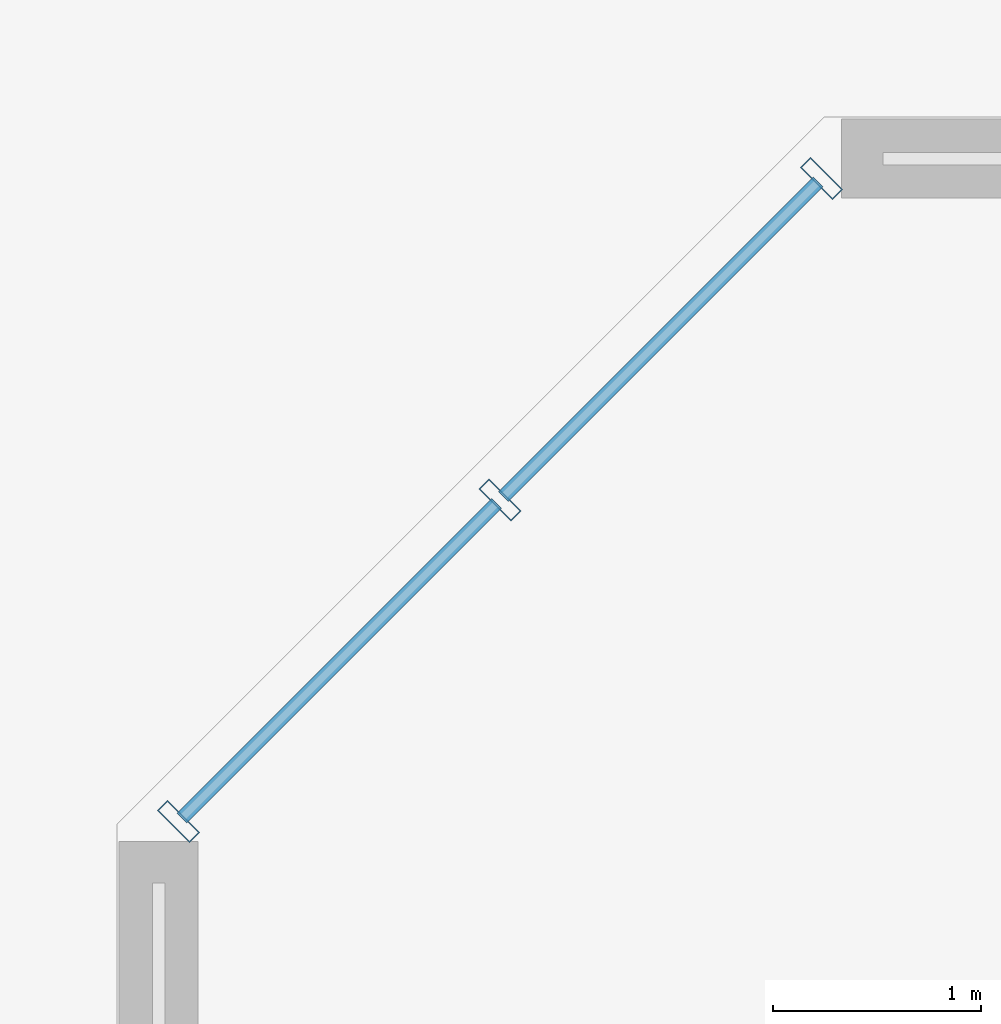
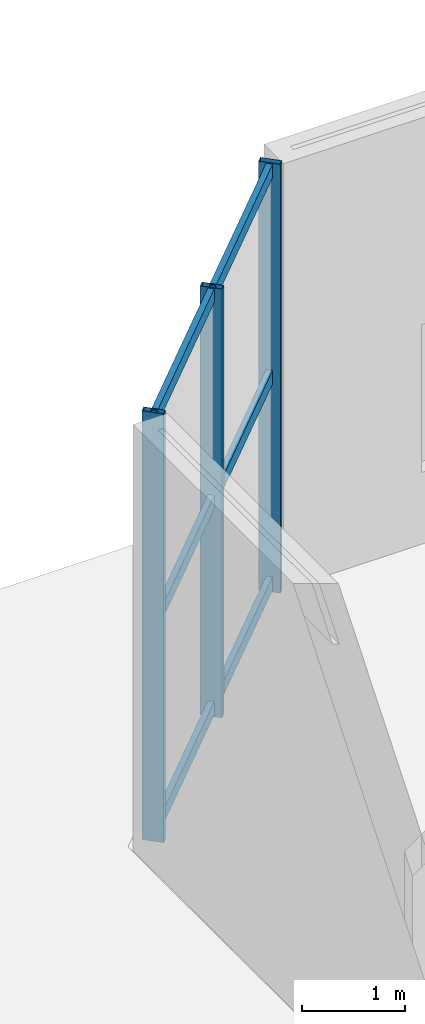
# One storey, part 4 of 22: 9 members, 1 element without a shape of its own.
"""IFC4 building model written with IfcOpenShell, lengths in metres."""

from ifc_helpers import new_model, si_unit, direction, frame, origin, origin_2d, place, context, subcontext, project, spatial, hollow_rectangle, extrude, source, transform, mapped, material, material_profile, profile_set, type_object, element, aggregate, save


model = new_model("IFC4")

# Units and contexts
model_context = context("Model", 3, precision=1e-05, world=origin(), true_north=direction((0.0, 1.0)))
body_context = subcontext(model_context, "Body", "Model", "MODEL_VIEW")
ifc_project = project(units=[si_unit("LENGTHUNIT", "METRE"), si_unit("AREAUNIT", "SQUARE_METRE"), si_unit("VOLUMEUNIT", "CUBIC_METRE"), si_unit("PLANEANGLEUNIT", "RADIAN"), si_unit("MASSUNIT", "GRAM", prefix="KILO")], contexts=[model_context])

# Site, building, storey
site_placement = place(None, origin())
site = spatial("IfcSite", under=ifc_project, at=site_placement, CompositionType="ELEMENT")
building_placement = place(site_placement, origin())
building = spatial("IfcBuilding", under=site, at=building_placement, Name="Tlacorven Tower", CompositionType="ELEMENT")
storey_placement = place(building_placement, origin())
storey = spatial("IfcBuildingStorey", under=building, at=storey_placement, Name="L00", CompositionType="ELEMENT", Elevation=0.0)

# Curtain wall, members
ifc_material_1 = material(Name="Dark solar low-E double glazing in aluminium frame", Category="aluminium")
curtain_wall_type = type_object("IfcCurtainWallType", Name="CW-STN-CONCOURSE", PredefinedType="USERDEFINED", material=ifc_material_1)
curtain_wall_placement = place(storey_placement, origin())
curtain_wall = element("IfcCurtainWall", 1, at=curtain_wall_placement, inside=storey, type_object=curtain_wall_type, Name="L00 Podium Chamfer Curtain Wall 3", ObjectType="UNITISED CURTAIN WALL", PredefinedType="USERDEFINED")
ifc_material_2 = material(Name="Aluminium 6063-T6 anodised", Category="aluminium")
ifc_material_profile_1 = material_profile(ifc_material_2, hollow_rectangle(XDim=0.070068359375, YDim=0.219970703125, WallThickness=0.0048828125, at=origin_2d()), Name="ALU MULLION 70X220")
ifc_profile_set_1 = profile_set([ifc_material_profile_1], Name="Aluminium 6063-T6 anodised")
member_type_1 = type_object("IfcMemberType", Name="CWM-01", PredefinedType="MULLION", material=ifc_profile_set_1)
shared_shape_1 = source(origin(), body_context, "Body", "SweptSolid", [
    extrude(hollow_rectangle(XDim=0.070068359375, YDim=0.219970703125, WallThickness=0.0048828125, at=origin_2d()), origin(), (0.0, 0.0, 1.0), 5.080078125),
])
member_1_placement = place(storey_placement, frame((1.695556640625, 43.212646484375, -0.02001953125), z_axis=(0.0, 0.0, 1.0), x_axis=(0.707106781187, 0.707106781187, 0.0)))
member_1 = element("IfcMember", 2, at=member_1_placement, type_object=member_type_1, Name="CW-L00-002 Mullion 1", PredefinedType="MULLION", context=body_context, shape_type="MappedRepresentation", body=[
    mapped(shared_shape_1, transform((0.0, 0.0, 0.0), scale=1.0)),
])
member_2_placement = place(storey_placement, frame((3.241455078125, 44.758544921875, -0.02001953125), z_axis=(0.0, 0.0, 1.0), x_axis=(0.707106781187, 0.707106781187, 0.0)))
member_2 = element("IfcMember", 3, at=member_2_placement, type_object=member_type_1, Name="CW-L00-002 Mullion 2", PredefinedType="MULLION", context=body_context, shape_type="MappedRepresentation", body=[
    mapped(shared_shape_1, transform((0.0, 0.0, 0.0), scale=1.0)),
])
member_3_placement = place(storey_placement, frame((4.787353515625, 46.304443359375, -0.02001953125), z_axis=(0.0, 0.0, 1.0), x_axis=(0.707106781187, 0.707106781187, 0.0)))
member_3 = element("IfcMember", 4, at=member_3_placement, type_object=member_type_1, Name="CW-L00-002 Mullion 3", PredefinedType="MULLION", context=body_context, shape_type="MappedRepresentation", body=[
    mapped(shared_shape_1, transform((0.0, 0.0, 0.0), scale=1.0)),
])
ifc_material_profile_2 = material_profile(ifc_material_2, hollow_rectangle(XDim=0.06494140625, YDim=0.159912109375, WallThickness=0.00390625, at=origin_2d()), Name="ALU TRANSOM 65X160")
ifc_profile_set_2 = profile_set([ifc_material_profile_2], Name="Aluminium 6063-T6 anodised")
member_type_2 = type_object("IfcMemberType", Name="CWT-01", PredefinedType="USERDEFINED", material=ifc_profile_set_2)
shared_shape_2 = source(origin(), body_context, "Body", "SweptSolid", [
    extrude(hollow_rectangle(XDim=0.06494140625, YDim=0.159912109375, WallThickness=0.00390625, at=origin_2d()), origin(), (0.0, 0.0, 1.0), 2.140380859375),
])
member_4_placement = place(storey_placement, frame((1.711669921875, 43.228759765625, 0.080078125), z_axis=(0.707049749547, 0.707163808226, 0.0), x_axis=(-0.707163808226, 0.707049749547, 0.0)))
member_4 = element("IfcMember", 5, at=member_4_placement, type_object=member_type_2, Name="CW-L00-002 Transom 1", ObjectType="TRANSOM", PredefinedType="USERDEFINED", context=body_context, shape_type="MappedRepresentation", body=[
    mapped(shared_shape_2, transform((0.0, 0.0, 0.0), scale=1.0)),
])
member_5_placement = place(storey_placement, frame((1.711669921875, 43.228759765625, 2.52490234375), z_axis=(0.707049749547, 0.707163808226, 0.0), x_axis=(-0.707163808226, 0.707049749547, 0.0)))
member_5 = element("IfcMember", 6, at=member_5_placement, type_object=member_type_2, Name="CW-L00-002 Transom 2", ObjectType="TRANSOM", PredefinedType="USERDEFINED", context=body_context, shape_type="MappedRepresentation", body=[
    mapped(shared_shape_2, transform((0.0, 0.0, 0.0), scale=1.0)),
])
member_6_placement = place(storey_placement, frame((1.711669921875, 43.228759765625, 4.969970703125), z_axis=(0.707049749547, 0.707163808226, 0.0), x_axis=(-0.707163808226, 0.707049749547, 0.0)))
member_6 = element("IfcMember", 7, at=member_6_placement, type_object=member_type_2, Name="CW-L00-002 Transom 3", ObjectType="TRANSOM", PredefinedType="USERDEFINED", context=body_context, shape_type="MappedRepresentation", body=[
    mapped(shared_shape_2, transform((0.0, 0.0, 0.0), scale=1.0)),
])
member_7_placement = place(storey_placement, frame((3.257568359375, 44.77490234375, 0.080078125), z_axis=(0.707163808226, 0.707049749547, 0.0), x_axis=(-0.707049749547, 0.707163808226, 0.0)))
member_7 = element("IfcMember", 8, at=member_7_placement, type_object=member_type_2, Name="CW-L00-002 Transom 4", ObjectType="TRANSOM", PredefinedType="USERDEFINED", context=body_context, shape_type="MappedRepresentation", body=[
    mapped(shared_shape_2, transform((0.0, 0.0, 0.0), scale=1.0)),
])
member_8_placement = place(storey_placement, frame((3.257568359375, 44.77490234375, 2.52490234375), z_axis=(0.707163808226, 0.707049749547, 0.0), x_axis=(-0.707049749547, 0.707163808226, 0.0)))
member_8 = element("IfcMember", 9, at=member_8_placement, type_object=member_type_2, Name="CW-L00-002 Transom 5", ObjectType="TRANSOM", PredefinedType="USERDEFINED", context=body_context, shape_type="MappedRepresentation", body=[
    mapped(shared_shape_2, transform((0.0, 0.0, 0.0), scale=1.0)),
])
member_9_placement = place(storey_placement, frame((3.257568359375, 44.77490234375, 4.969970703125), z_axis=(0.707163808226, 0.707049749547, 0.0), x_axis=(-0.707049749547, 0.707163808226, 0.0)))
member_9 = element("IfcMember", 10, at=member_9_placement, type_object=member_type_2, Name="CW-L00-002 Transom 6", ObjectType="TRANSOM", PredefinedType="USERDEFINED", context=body_context, shape_type="MappedRepresentation", body=[
    mapped(shared_shape_2, transform((0.0, 0.0, 0.0), scale=1.0)),
])
aggregate(curtain_wall, [member_1, member_2, member_3, member_4, member_5, member_6, member_7, member_8, member_9])

save(model, "model.ifc")
